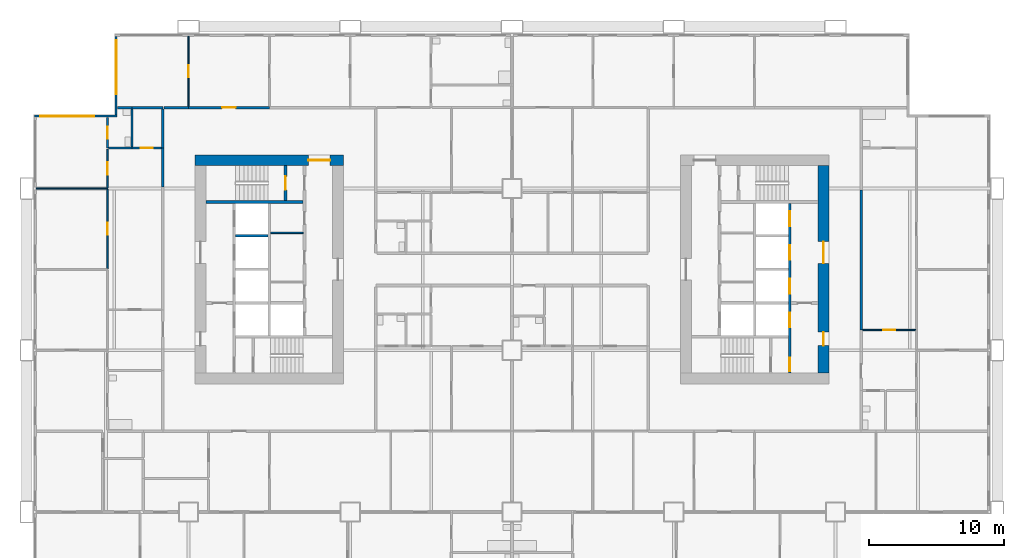
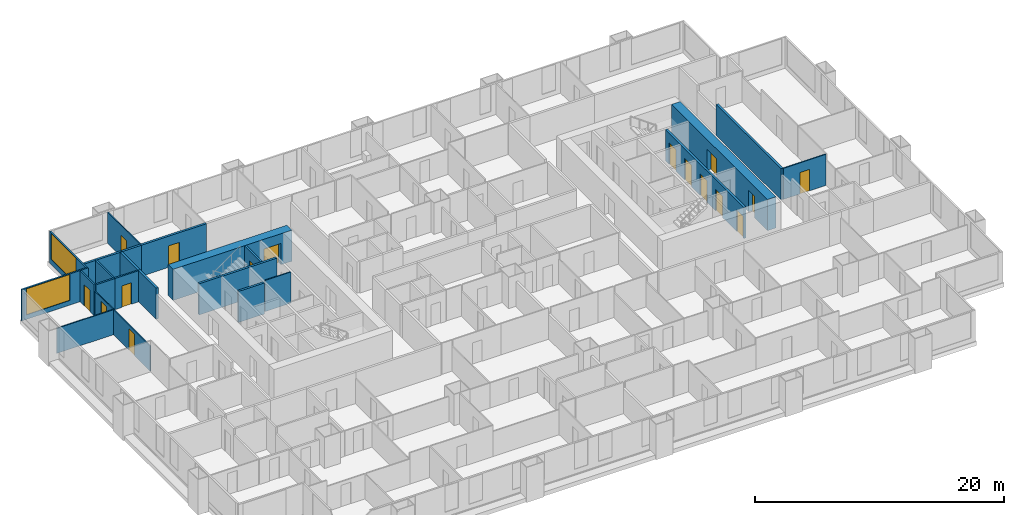
# One storey, part 8 of 14: 25 walls, 16 doors, 2 windows, 18 openings.
"""IFC4 building model written with IfcOpenShell, lengths in metres."""

from ifc_helpers import new_model, si_unit, direction, frame, frame_2d, origin, place, context, subcontext, project, spatial, rectangle, extrude, material, layer, layer_set, type_object, element, fill, save


model = new_model("IFC4")

# Units and contexts
model_context = context("Model", 3, precision=1e-05, world=origin(), true_north=direction((0.0, 1.0)))
body_context = subcontext(model_context, "Body", "Model", "MODEL_VIEW")
ifc_project = project(units=[si_unit("LENGTHUNIT", "METRE"), si_unit("AREAUNIT", "SQUARE_METRE"), si_unit("VOLUMEUNIT", "CUBIC_METRE"), si_unit("PLANEANGLEUNIT", "RADIAN"), si_unit("MASSUNIT", "GRAM", prefix="KILO")], contexts=[model_context])

# Site, building, storey
site_placement = place(None, origin())
site = spatial("IfcSite", under=ifc_project, at=site_placement, CompositionType="ELEMENT")
building_placement = place(site_placement, origin())
building = spatial("IfcBuilding", under=site, at=building_placement, Name="Kitamizu Gate Tower and Museum", CompositionType="ELEMENT")
storey_placement = place(building_placement, frame((0.0, 0.0, 64.5)))
storey = spatial("IfcBuildingStorey", under=building, at=storey_placement, Name="L15", CompositionType="ELEMENT", Elevation=64.5)

# Wall, opening, door
ifc_material_1 = material(Name="Concrete Fc60", Category="concrete")
ifc_layer_1 = layer(ifc_material_1, 0.800048828125)
ifc_layer_set_1 = layer_set([ifc_layer_1], Name="Concrete Fc60")
wall_type_1 = type_object("IfcWallType", Name="Core wall 800", PredefinedType="SHEAR", material=ifc_layer_set_1)
wall_1_placement = place(storey_placement, frame((12.5, 38.10009765625, 0.0), z_axis=(0.0, 0.0, 1.0), x_axis=(1.0, 0.0, 0.0)))
wall_1 = element("IfcWall", 1, at=wall_1_placement, inside=storey, type_object=wall_type_1, Name="Core wall WN", PredefinedType="SHEAR", context=body_context, shape_type="SweptSolid", body=[
    extrude(rectangle(XDim=11.0, YDim=0.800048828125, at=frame_2d((5.5, 0.0))), origin(), (0.0, 0.0, 1.0), 3.050048828125),
])
opening_1_placement = place(wall_1_placement, frame((8.39990234375, 0.0, 0.0)))
opening_1 = element("IfcOpeningElement", 2, at=opening_1_placement, cuts=wall_1, Name="Opening L15-092", PredefinedType="OPENING", context=body_context, shape_type="SweptSolid", body=[
    extrude(rectangle(XDim=1.60009765625, YDim=2.10009765625, at=frame_2d((0.800048828125, 1.050048828125))), frame((0.0, 0.41015625, 0.0), z_axis=(0.0, -1.0, 0.0), x_axis=(1.0, 0.0, 0.0)), (0.0, 0.0, 1.0), 0.820068359375),
])
ifc_material_2 = material(Name="Timber door set", Category="wood")
door_type_1 = type_object("IfcDoorType", Name="Entrance door 1600", OperationType="DOUBLE_DOOR_SINGLE_SWING", PredefinedType="DOOR", material=ifc_material_2)
door_1_placement = place(opening_1_placement, origin())
door_1 = element("IfcDoor", 3, at=door_1_placement, inside=storey, type_object=door_type_1, Name="Lobby door L15-092", OperationType="DOUBLE_DOOR_SINGLE_SWING", OverallHeight=2.10009765625, OverallWidth=1.60009765625, PredefinedType="DOOR", context=body_context, shape_type="SweptSolid", body=[
    extrude(rectangle(XDim=1.60009765625, YDim=2.10009765625, at=frame_2d((0.800048828125, 1.050048828125))), frame((0.0, 0.02490234375, 0.0), z_axis=(0.0, -1.0, 0.0), x_axis=(1.0, 0.0, 0.0)), (0.0, 0.0, 1.0), 0.050048828125),
])
fill(opening_1, door_1)

# Wall, openings, doors
wall_2_placement = place(storey_placement, frame((59.10009765625, 22.300048828125, 0.0), z_axis=(0.0, 0.0, 1.0), x_axis=(0.0, 1.0, 0.0)))
wall_2 = element("IfcWall", 4, at=wall_2_placement, inside=storey, type_object=wall_type_1, Name="Core wall EOUT", PredefinedType="SHEAR", context=body_context, shape_type="SweptSolid", body=[
    extrude(rectangle(XDim=15.39990234375, YDim=0.800048828125, at=frame_2d((7.699951171875, 0.0))), origin(), (0.0, 0.0, 1.0), 3.050048828125),
])
opening_2_placement = place(wall_2_placement, frame((8.14990234375, 0.0, 0.0)))
opening_2 = element("IfcOpeningElement", 5, at=opening_2_placement, cuts=wall_2, Name="Opening L15-102", PredefinedType="OPENING", context=body_context, shape_type="SweptSolid", body=[
    extrude(rectangle(XDim=1.60009765625, YDim=2.10009765625, at=frame_2d((0.800048828125, 1.050048828125))), frame((0.0, 0.41015625, 0.0), z_axis=(0.0, -1.0, 0.0), x_axis=(1.0, 0.0, 0.0)), (0.0, 0.0, 1.0), 0.820068359375),
])
opening_3_placement = place(wall_2_placement, frame((2.050048828125, 0.0, 0.0)))
opening_3 = element("IfcOpeningElement", 6, at=opening_3_placement, cuts=wall_2, Name="Opening L15-103", PredefinedType="OPENING", context=body_context, shape_type="SweptSolid", body=[
    extrude(rectangle(XDim=1.0, YDim=2.10009765625, at=frame_2d((0.5, 1.050048828125))), frame((0.0, 0.41015625, 0.0), z_axis=(0.0, -1.0, 0.0), x_axis=(1.0, 0.0, 0.0)), (0.0, 0.0, 1.0), 0.820068359375),
])
door_2_placement = place(opening_2_placement, origin())
door_2 = element("IfcDoor", 7, at=door_2_placement, inside=storey, type_object=door_type_1, Name="Lobby door L15-102", OperationType="DOUBLE_DOOR_SINGLE_SWING", OverallHeight=2.10009765625, OverallWidth=1.60009765625, PredefinedType="DOOR", context=body_context, shape_type="SweptSolid", body=[
    extrude(rectangle(XDim=1.60009765625, YDim=2.10009765625, at=frame_2d((0.800048828125, 1.050048828125))), frame((0.0, 0.02490234375, 0.0), z_axis=(0.0, -1.0, 0.0), x_axis=(1.0, 0.0, 0.0)), (0.0, 0.0, 1.0), 0.050048828125),
])
fill(opening_2, door_2)
ifc_material_3 = material(Name="Hollow metal door set")
door_type_2 = type_object("IfcDoorType", Name="Fire door 1000", OperationType="NOTDEFINED", PredefinedType="DOOR", material=ifc_material_3)
door_3_placement = place(opening_3_placement, origin())
door_3 = element("IfcDoor", 8, at=door_3_placement, inside=storey, type_object=door_type_2, Name="Fire-fighting lobby door L15-103", OperationType="SINGLE_SWING_RIGHT", OverallHeight=2.10009765625, OverallWidth=1.0, PredefinedType="DOOR", context=body_context, shape_type="SweptSolid", body=[
    extrude(rectangle(XDim=1.0, YDim=2.10009765625, at=frame_2d((0.5, 1.050048828125))), frame((0.0, 0.02490234375, 0.0), z_axis=(0.0, -1.0, 0.0), x_axis=(1.0, 0.0, 0.0)), (0.0, 0.0, 1.0), 0.050048828125),
])
fill(opening_3, door_3)

# Walls
ifc_material_4 = material(Name="Gypsum board on galvanised stud")
ifc_layer_2 = layer(ifc_material_4, 0.10009765625)
ifc_layer_set_2 = layer_set([ifc_layer_2], Name="Gypsum board on galvanised stud")
wall_type_2 = type_object("IfcWallType", Name="Partition 100", PredefinedType="PARTITIONING", material=ifc_layer_set_2)
wall_3_placement = place(storey_placement, frame((18.10009765625, 32.7099609375, 0.0), z_axis=(0.0, 0.0, 1.0), x_axis=(1.0, 0.0, 0.0)))
element("IfcWall", 9, at=wall_3_placement, inside=storey, type_object=wall_type_2, Name="Partition WPF2", PredefinedType="PARTITIONING", context=body_context, shape_type="SweptSolid", body=[
    extrude(rectangle(XDim=2.39990234375, YDim=0.10009765625, at=frame_2d((1.199951171875, 0.0))), origin(), (0.0, 0.0, 1.0), 3.050048828125),
])
ifc_material_5 = material(Name="Gypsum board on galvanised stud")
ifc_layer_3 = layer(ifc_material_5, 0.10009765625)
ifc_layer_set_3 = layer_set([ifc_layer_3], Name="Gypsum board on galvanised stud")
wall_type_3 = type_object("IfcWallType", Name="Partition 100 NOT RATED", PredefinedType="PARTITIONING", material=ifc_layer_set_3)
wall_4_placement = place(storey_placement, frame((6.0, 36.0, 0.0), z_axis=(0.0, 0.0, 1.0), x_axis=(-1.0, 0.0, 0.0)))
element("IfcWall", 10, at=wall_4_placement, inside=storey, type_object=wall_type_3, Name="Partition L15-134", PredefinedType="PARTITIONING", context=body_context, shape_type="SweptSolid", body=[
    extrude(rectangle(XDim=5.280029296875, YDim=0.10009765625, at=frame_2d((2.64013671875, 0.0))), origin(), (0.0, 0.0, 1.0), 2.449951171875),
])

# Wall, opening, door
wall_5_placement = place(storey_placement, frame((6.0, 30.050048828125, 0.0), z_axis=(0.0, 0.0, 1.0), x_axis=(0.0, 1.0, 0.0)))
wall_5 = element("IfcWall", 11, at=wall_5_placement, inside=storey, type_object=wall_type_3, Name="Partition L15-135", PredefinedType="PARTITIONING", context=body_context, shape_type="SweptSolid", body=[
    extrude(rectangle(XDim=5.89990234375, YDim=0.10009765625, at=frame_2d((2.949951171875, 0.0))), origin(), (0.0, 0.0, 1.0), 2.449951171875),
])
opening_4_placement = place(wall_5_placement, frame((2.5, 0.0, 0.0)))
opening_4 = element("IfcOpeningElement", 12, at=opening_4_placement, cuts=wall_5, Name="Opening L15-050", PredefinedType="OPENING", context=body_context, shape_type="SweptSolid", body=[
    extrude(rectangle(XDim=0.89990234375, YDim=2.10009765625, at=frame_2d((0.449951171875, 1.050048828125))), frame((0.0, 0.06005859375, 0.0), z_axis=(0.0, -1.0, 0.0), x_axis=(1.0, 0.0, 0.0)), (0.0, 0.0, 1.0), 0.1201171875),
])
ifc_material_6 = material(Name="Timber door set", Category="wood")
door_type_3 = type_object("IfcDoorType", Name="Room door 900", OperationType="NOTDEFINED", PredefinedType="DOOR", material=ifc_material_6)
door_4_placement = place(opening_4_placement, origin())
door_4 = element("IfcDoor", 13, at=door_4_placement, inside=storey, type_object=door_type_3, Name="Door L15-050", OperationType="SINGLE_SWING_LEFT", OverallHeight=2.10009765625, OverallWidth=0.89990234375, PredefinedType="DOOR", context=body_context, shape_type="SweptSolid", body=[
    extrude(rectangle(XDim=0.89990234375, YDim=2.10009765625, at=frame_2d((0.449951171875, 1.050048828125))), frame((0.0, 0.02490234375, 0.0), z_axis=(0.0, -1.0, 0.0), x_axis=(1.0, 0.0, 0.0)), (0.0, 0.0, 1.0), 0.050048828125),
])
fill(opening_4, door_4)

wall_6_placement = place(storey_placement, frame((6.0, 36.050048828125, 0.0), z_axis=(0.0, 0.0, 1.0), x_axis=(0.0, 1.0, 0.0)))
wall_6 = element("IfcWall", 14, at=wall_6_placement, inside=storey, type_object=wall_type_3, Name="Partition L15-136", PredefinedType="PARTITIONING", context=body_context, shape_type="SweptSolid", body=[
    extrude(rectangle(XDim=2.875, YDim=0.10009765625, at=frame_2d((1.4375, 0.0))), origin(), (0.0, 0.0, 1.0), 2.449951171875),
])
opening_5_placement = place(wall_6_placement, frame((0.987548828125, 0.0, 0.0)))
opening_5 = element("IfcOpeningElement", 15, at=opening_5_placement, cuts=wall_6, Name="Opening L15-051", PredefinedType="OPENING", context=body_context, shape_type="SweptSolid", body=[
    extrude(rectangle(XDim=0.89990234375, YDim=2.10009765625, at=frame_2d((0.449951171875, 1.050048828125))), frame((0.0, 0.06005859375, 0.0), z_axis=(0.0, -1.0, 0.0), x_axis=(1.0, 0.0, 0.0)), (0.0, 0.0, 1.0), 0.1201171875),
])
door_5_placement = place(opening_5_placement, origin())
door_5 = element("IfcDoor", 16, at=door_5_placement, inside=storey, type_object=door_type_3, Name="Door L15-051", OperationType="SINGLE_SWING_RIGHT", OverallHeight=2.10009765625, OverallWidth=0.89990234375, PredefinedType="DOOR", context=body_context, shape_type="SweptSolid", body=[
    extrude(rectangle(XDim=0.89990234375, YDim=2.10009765625, at=frame_2d((0.449951171875, 1.050048828125))), frame((0.0, 0.02490234375, 0.0), z_axis=(0.0, -1.0, 0.0), x_axis=(1.0, 0.0, 0.0)), (0.0, 0.0, 1.0), 0.050048828125),
])
fill(opening_5, door_5)

wall_7_placement = place(storey_placement, frame((12.0, 42.10009765625, 0.0), z_axis=(0.0, 0.0, 1.0), x_axis=(0.0, 1.0, 0.0)))
wall_7 = element("IfcWall", 17, at=wall_7_placement, inside=storey, type_object=wall_type_3, Name="Partition L15-151", PredefinedType="PARTITIONING", context=body_context, shape_type="SweptSolid", body=[
    extrude(rectangle(XDim=5.179931640625, YDim=0.10009765625, at=frame_2d((2.58984375, 0.0))), origin(), (0.0, 0.0, 1.0), 3.050048828125),
])
opening_6_placement = place(wall_7_placement, frame((2.139892578125, 0.0, 0.0)))
opening_6 = element("IfcOpeningElement", 18, at=opening_6_placement, cuts=wall_7, Name="Opening L15-057", PredefinedType="OPENING", context=body_context, shape_type="SweptSolid", body=[
    extrude(rectangle(XDim=0.89990234375, YDim=2.10009765625, at=frame_2d((0.449951171875, 1.050048828125))), frame((0.0, 0.06005859375, 0.0), z_axis=(0.0, -1.0, 0.0), x_axis=(1.0, 0.0, 0.0)), (0.0, 0.0, 1.0), 0.1201171875),
])
door_6_placement = place(opening_6_placement, origin())
door_6 = element("IfcDoor", 19, at=door_6_placement, inside=storey, type_object=door_type_3, Name="Door L15-057", OperationType="SINGLE_SWING_LEFT", OverallHeight=2.10009765625, OverallWidth=0.89990234375, PredefinedType="DOOR", context=body_context, shape_type="SweptSolid", body=[
    extrude(rectangle(XDim=0.89990234375, YDim=2.10009765625, at=frame_2d((0.449951171875, 1.050048828125))), frame((0.0, 0.02490234375, 0.0), z_axis=(0.0, -1.0, 0.0), x_axis=(1.0, 0.0, 0.0)), (0.0, 0.0, 1.0), 0.050048828125),
])
fill(opening_6, door_6)

wall_8_placement = place(storey_placement, frame((65.949951171875, 25.5, 0.0), z_axis=(0.0, 0.0, 1.0), x_axis=(-1.0, 0.0, 0.0)))
wall_8 = element("IfcWall", 20, at=wall_8_placement, inside=storey, type_object=wall_type_3, Name="Partition L15-220", PredefinedType="PARTITIONING", context=body_context, shape_type="SweptSolid", body=[
    extrude(rectangle(XDim=3.949951171875, YDim=0.10009765625, at=frame_2d((1.97509765625, 0.0))), origin(), (0.0, 0.0, 1.0), 3.050048828125),
])
opening_7_placement = place(wall_8_placement, frame((1.52490234375, 0.0, 0.0)))
opening_7 = element("IfcOpeningElement", 21, at=opening_7_placement, cuts=wall_8, Name="Opening L15-079", PredefinedType="OPENING", context=body_context, shape_type="SweptSolid", body=[
    extrude(rectangle(XDim=0.89990234375, YDim=2.10009765625, at=frame_2d((0.449951171875, 1.050048828125))), frame((0.0, 0.06005859375, 0.0), z_axis=(0.0, -1.0, 0.0), x_axis=(1.0, 0.0, 0.0)), (0.0, 0.0, 1.0), 0.1201171875),
])
door_7_placement = place(opening_7_placement, origin())
door_7 = element("IfcDoor", 22, at=door_7_placement, inside=storey, type_object=door_type_3, Name="Door L15-079", OperationType="SINGLE_SWING_RIGHT", OverallHeight=2.10009765625, OverallWidth=0.89990234375, PredefinedType="DOOR", context=body_context, shape_type="SweptSolid", body=[
    extrude(rectangle(XDim=0.89990234375, YDim=2.10009765625, at=frame_2d((0.449951171875, 1.050048828125))), frame((0.0, 0.02490234375, 0.0), z_axis=(0.0, -1.0, 0.0), x_axis=(1.0, 0.0, 0.0)), (0.0, 0.0, 1.0), 0.050048828125),
])
fill(opening_7, door_7)

ifc_material_7 = material(Name="Gypsum board on galvanised stud")
ifc_layer_4 = layer(ifc_material_7, 0.14990234375)
ifc_layer_set_4 = layer_set([ifc_layer_4], Name="Gypsum board on galvanised stud")
wall_type_4 = type_object("IfcWallType", Name="Partition 150", PredefinedType="PARTITIONING", material=ifc_layer_set_4)
wall_9_placement = place(storey_placement, frame((6.0, 39.0, 0.0), z_axis=(0.0, 0.0, 1.0), x_axis=(0.0, 1.0, 0.0)))
wall_9 = element("IfcWall", 23, at=wall_9_placement, inside=storey, type_object=wall_type_4, Name="Partition L15-137", PredefinedType="PARTITIONING", context=body_context, shape_type="SweptSolid", body=[
    extrude(rectangle(XDim=2.280029296875, YDim=0.14990234375, at=frame_2d((1.14013671875, 0.0))), origin(), (0.0, 0.0, 1.0), 3.050048828125),
])
opening_8_placement = place(wall_9_placement, frame((0.68994140625, 0.0, 0.0)))
opening_8 = element("IfcOpeningElement", 24, at=opening_8_placement, cuts=wall_9, Name="Opening L15-054", PredefinedType="OPENING", context=body_context, shape_type="SweptSolid", body=[
    extrude(rectangle(XDim=0.89990234375, YDim=2.10009765625, at=frame_2d((0.449951171875, 1.050048828125))), frame((0.0, 0.0849609375, 0.0), z_axis=(0.0, -1.0, 0.0), x_axis=(1.0, 0.0, 0.0)), (0.0, 0.0, 1.0), 0.169921875),
])
ifc_material_8 = material(Name="Timber door set", Category="wood")
door_type_4 = type_object("IfcDoorType", Name="Bathroom door 900", OperationType="NOTDEFINED", PredefinedType="DOOR", material=ifc_material_8)
door_8_placement = place(opening_8_placement, frame((0.89990234375, 0.0, 0.0), x_axis=(-1.0, 0.0, 0.0)))
door_8 = element("IfcDoor", 25, at=door_8_placement, inside=storey, type_object=door_type_4, Name="Bathroom door L15-054", OperationType="SINGLE_SWING_LEFT", OverallHeight=2.10009765625, OverallWidth=0.89990234375, PredefinedType="DOOR", context=body_context, shape_type="SweptSolid", body=[
    extrude(rectangle(XDim=0.89990234375, YDim=2.10009765625, at=frame_2d((0.449951171875, 1.050048828125))), frame((0.0, 0.02490234375, 0.0), z_axis=(0.0, -1.0, 0.0), x_axis=(1.0, 0.0, 0.0)), (0.0, 0.0, 1.0), 0.050048828125),
])
fill(opening_8, door_8)

# Wall
wall_10_placement = place(storey_placement, frame((7.800048828125, 39.0, 0.0), z_axis=(0.0, 0.0, 1.0), x_axis=(-1.0, 0.0, 0.0)))
element("IfcWall", 26, at=wall_10_placement, inside=storey, type_object=wall_type_4, Name="Partition L15-143", PredefinedType="PARTITIONING", context=body_context, shape_type="SweptSolid", body=[
    extrude(rectangle(XDim=1.72509765625, YDim=0.14990234375, at=frame_2d((0.862548828125, 0.0))), origin(), (0.0, 0.0, 1.0), 3.050048828125),
])

# Wall, opening, door
wall_11_placement = place(storey_placement, frame((10.0, 39.0, 0.0), z_axis=(0.0, 0.0, 1.0), x_axis=(-1.0, 0.0, 0.0)))
wall_11 = element("IfcWall", 27, at=wall_11_placement, inside=storey, type_object=wall_type_4, Name="Partition L15-144", PredefinedType="PARTITIONING", context=body_context, shape_type="SweptSolid", body=[
    extrude(rectangle(XDim=2.199951171875, YDim=0.14990234375, at=frame_2d((1.10009765625, 0.0))), origin(), (0.0, 0.0, 1.0), 3.050048828125),
])
opening_9_placement = place(wall_11_placement, frame((0.64990234375, 0.0, 0.0)))
opening_9 = element("IfcOpeningElement", 28, at=opening_9_placement, cuts=wall_11, Name="Opening L15-055", PredefinedType="OPENING", context=body_context, shape_type="SweptSolid", body=[
    extrude(rectangle(XDim=0.89990234375, YDim=2.10009765625, at=frame_2d((0.449951171875, 1.050048828125))), frame((0.0, 0.0849609375, 0.0), z_axis=(0.0, -1.0, 0.0), x_axis=(1.0, 0.0, 0.0)), (0.0, 0.0, 1.0), 0.169921875),
])
door_9_placement = place(opening_9_placement, frame((0.89990234375, 0.0, 0.0), x_axis=(-1.0, 0.0, 0.0)))
door_9 = element("IfcDoor", 29, at=door_9_placement, inside=storey, type_object=door_type_4, Name="Bathroom door L15-055", OperationType="SINGLE_SWING_RIGHT", OverallHeight=2.10009765625, OverallWidth=0.89990234375, PredefinedType="DOOR", context=body_context, shape_type="SweptSolid", body=[
    extrude(rectangle(XDim=0.89990234375, YDim=2.10009765625, at=frame_2d((0.449951171875, 1.050048828125))), frame((0.0, 0.02490234375, 0.0), z_axis=(0.0, -1.0, 0.0), x_axis=(1.0, 0.0, 0.0)), (0.0, 0.0, 1.0), 0.050048828125),
])
fill(opening_9, door_9)

# Walls
wall_12_placement = place(storey_placement, frame((7.800048828125, 39.074951171875, 0.0), z_axis=(0.0, 0.0, 1.0), x_axis=(0.0, 1.0, 0.0)))
element("IfcWall", 30, at=wall_12_placement, inside=storey, type_object=wall_type_4, Name="Partition L15-147", PredefinedType="PARTITIONING", context=body_context, shape_type="SweptSolid", body=[
    extrude(rectangle(XDim=2.824951171875, YDim=0.14990234375, at=frame_2d((1.41259765625, 0.0))), origin(), (0.0, 0.0, 1.0), 3.050048828125),
])
ifc_material_9 = material(Name="Gypsum board on galvanised stud")
ifc_layer_5 = layer(ifc_material_9, 0.199951171875)
ifc_layer_set_5 = layer_set([ifc_layer_5], Name="Gypsum board on galvanised stud")
wall_type_5 = type_object("IfcWallType", Name="Partition 200", PredefinedType="PARTITIONING", material=ifc_layer_set_5)
wall_13_placement = place(storey_placement, frame((10.10009765625, 36.10009765625, 0.0), z_axis=(0.0, 0.0, 1.0), x_axis=(0.0, 1.0, 0.0)))
element("IfcWall", 31, at=wall_13_placement, inside=storey, type_object=wall_type_5, Name="Partition L15-146", PredefinedType="PARTITIONING", context=body_context, shape_type="SweptSolid", body=[
    extrude(rectangle(XDim=2.89990234375, YDim=0.199951171875, at=frame_2d((1.449951171875, 0.0))), origin(), (0.0, 0.0, 1.0), 3.050048828125),
])
wall_14_placement = place(storey_placement, frame((7.800048828125, 42.0, 0.0), z_axis=(0.0, 0.0, 1.0), x_axis=(-1.0, 0.0, 0.0)))
element("IfcWall", 32, at=wall_14_placement, inside=storey, type_object=wall_type_5, Name="Partition L15-148", PredefinedType="PARTITIONING", context=body_context, shape_type="SweptSolid", body=[
    extrude(rectangle(XDim=1.080078125, YDim=0.199951171875, at=frame_2d((0.5400390625, 0.0))), origin(), (0.0, 0.0, 1.0), 3.050048828125),
])
wall_15_placement = place(storey_placement, frame((10.10009765625, 42.0, 0.0), z_axis=(0.0, 0.0, 1.0), x_axis=(-1.0, 0.0, 0.0)))
element("IfcWall", 33, at=wall_15_placement, inside=storey, type_object=wall_type_5, Name="Partition L15-149", PredefinedType="PARTITIONING", context=body_context, shape_type="SweptSolid", body=[
    extrude(rectangle(XDim=2.300048828125, YDim=0.199951171875, at=frame_2d((1.14990234375, 0.0))), origin(), (0.0, 0.0, 1.0), 3.050048828125),
])
wall_16_placement = place(storey_placement, frame((10.10009765625, 39.0, 0.0), z_axis=(0.0, 0.0, 1.0), x_axis=(0.0, 1.0, 0.0)))
element("IfcWall", 34, at=wall_16_placement, inside=storey, type_object=wall_type_5, Name="Partition L15-150", PredefinedType="PARTITIONING", context=body_context, shape_type="SweptSolid", body=[
    extrude(rectangle(XDim=2.89990234375, YDim=0.199951171875, at=frame_2d((1.449951171875, 0.0))), origin(), (0.0, 0.0, 1.0), 3.050048828125),
])
wall_17_placement = place(storey_placement, frame((10.199951171875, 42.0, 0.0), z_axis=(0.0, 0.0, 1.0), x_axis=(1.0, 0.0, 0.0)))
element("IfcWall", 35, at=wall_17_placement, inside=storey, type_object=wall_type_5, Name="Partition L15-152", PredefinedType="PARTITIONING", context=body_context, shape_type="SweptSolid", body=[
    extrude(rectangle(XDim=1.800048828125, YDim=0.199951171875, at=frame_2d((0.89990234375, 0.0))), origin(), (0.0, 0.0, 1.0), 3.050048828125),
])

# Wall, opening, door
wall_18_placement = place(storey_placement, frame((12.0, 42.0, 0.0), z_axis=(0.0, 0.0, 1.0), x_axis=(1.0, 0.0, 0.0)))
wall_18 = element("IfcWall", 36, at=wall_18_placement, inside=storey, type_object=wall_type_5, Name="Partition L15-154", PredefinedType="PARTITIONING", context=body_context, shape_type="SweptSolid", body=[
    extrude(rectangle(XDim=6.0, YDim=0.199951171875, at=frame_2d((3.0, 0.0))), origin(), (0.0, 0.0, 1.0), 3.050048828125),
])
opening_10_placement = place(wall_18_placement, frame((2.5, 0.0, 0.0)))
opening_10 = element("IfcOpeningElement", 37, at=opening_10_placement, cuts=wall_18, Name="Opening L15-056", PredefinedType="OPENING", context=body_context, shape_type="SweptSolid", body=[
    extrude(rectangle(XDim=1.0, YDim=2.10009765625, at=frame_2d((0.5, 1.050048828125))), frame((0.0, 0.10986328125, 0.0), z_axis=(0.0, -1.0, 0.0), x_axis=(1.0, 0.0, 0.0)), (0.0, 0.0, 1.0), 0.219970703125),
])
ifc_material_10 = material(Name="Timber door set", Category="wood")
door_type_5 = type_object("IfcDoorType", Name="Flat entrance door 1000", OperationType="NOTDEFINED", PredefinedType="DOOR", material=ifc_material_10)
door_10_placement = place(opening_10_placement, origin())
door_10 = element("IfcDoor", 38, at=door_10_placement, inside=storey, type_object=door_type_5, Name="Flat entrance door L15-056", OperationType="SINGLE_SWING_RIGHT", OverallHeight=2.10009765625, OverallWidth=1.0, PredefinedType="DOOR", context=body_context, shape_type="SweptSolid", body=[
    extrude(rectangle(XDim=1.0, YDim=2.10009765625, at=frame_2d((0.5, 1.050048828125))), frame((0.0, 0.02490234375, 0.0), z_axis=(0.0, -1.0, 0.0), x_axis=(1.0, 0.0, 0.0)), (0.0, 0.0, 1.0), 0.050048828125),
])
fill(opening_10, door_10)

# Walls
wall_19_placement = place(storey_placement, frame((61.89990234375, 35.89990234375, 0.0), z_axis=(0.0, 0.0, 1.0), x_axis=(0.0, -1.0, 0.0)))
element("IfcWall", 39, at=wall_19_placement, inside=storey, type_object=wall_type_5, Name="Partition L15-225", PredefinedType="PARTITIONING", context=body_context, shape_type="SweptSolid", body=[
    extrude(rectangle(XDim=10.39990234375, YDim=0.199951171875, at=frame_2d((5.199951171875, 0.0))), origin(), (0.0, 0.0, 1.0), 3.050048828125),
])
ifc_material_11 = material(Name="Concrete Fc42", Category="concrete")
ifc_layer_6 = layer(ifc_material_11, 0.199951171875)
ifc_layer_set_6 = layer_set([ifc_layer_6], Name="Concrete Fc42")
wall_type_6 = type_object("IfcWallType", Name="Shaft wall 200", PredefinedType="SOLIDWALL", material=ifc_layer_set_6)
wall_20_placement = place(storey_placement, frame((13.300048828125, 35.0, 0.0), z_axis=(0.0, 0.0, 1.0), x_axis=(1.0, 0.0, 0.0)))
element("IfcWall", 40, at=wall_20_placement, inside=storey, type_object=wall_type_6, Name="Shaft wall WNB", PredefinedType="SOLIDWALL", context=body_context, shape_type="SweptSolid", body=[
    extrude(rectangle(XDim=7.199951171875, YDim=0.199951171875, at=frame_2d((3.60009765625, 0.0))), origin(), (0.0, 0.0, 1.0), 3.050048828125),
])

# Wall, opening, door
wall_21_placement = place(storey_placement, frame((19.199951171875, 35.10009765625, 0.0), z_axis=(0.0, 0.0, 1.0), x_axis=(0.0, 1.0, 0.0)))
wall_21 = element("IfcWall", 41, at=wall_21_placement, inside=storey, type_object=wall_type_6, Name="Shaft wall WNZ", PredefinedType="SOLIDWALL", context=body_context, shape_type="SweptSolid", body=[
    extrude(rectangle(XDim=2.599853515625, YDim=0.199951171875, at=frame_2d((1.2998046875, 0.0))), origin(), (0.0, 0.0, 1.0), 3.050048828125),
])
opening_11_placement = place(wall_21_placement, frame((0.800048828125, 0.0, 0.0)))
opening_11 = element("IfcOpeningElement", 42, at=opening_11_placement, cuts=wall_21, Name="Opening L15-088", PredefinedType="OPENING", context=body_context, shape_type="SweptSolid", body=[
    extrude(rectangle(XDim=1.0, YDim=2.10009765625, at=frame_2d((0.5, 1.050048828125))), frame((0.0, 0.10986328125, 0.0), z_axis=(0.0, -1.0, 0.0), x_axis=(1.0, 0.0, 0.0)), (0.0, 0.0, 1.0), 0.219970703125),
])
door_11_placement = place(opening_11_placement, origin())
door_11 = element("IfcDoor", 43, at=door_11_placement, inside=storey, type_object=door_type_2, Name="Stair door L15-088", OperationType="SINGLE_SWING_LEFT", OverallHeight=2.10009765625, OverallWidth=1.0, PredefinedType="DOOR", context=body_context, shape_type="SweptSolid", body=[
    extrude(rectangle(XDim=1.0, YDim=2.10009765625, at=frame_2d((0.5, 1.050048828125))), frame((0.0, 0.02490234375, 0.0), z_axis=(0.0, -1.0, 0.0), x_axis=(1.0, 0.0, 0.0)), (0.0, 0.0, 1.0), 0.050048828125),
])
fill(opening_11, door_11)

# Wall
wall_22_placement = place(storey_placement, frame((15.5, 32.5, 0.0), z_axis=(0.0, 0.0, 1.0), x_axis=(1.0, 0.0, 0.0)))
element("IfcWall", 44, at=wall_22_placement, inside=storey, type_object=wall_type_6, Name="Shaft wall WDVW2", PredefinedType="SOLIDWALL", context=body_context, shape_type="SweptSolid", body=[
    extrude(rectangle(XDim=2.39990234375, YDim=0.199951171875, at=frame_2d((1.199951171875, 0.0))), origin(), (0.0, 0.0, 1.0), 3.050048828125),
])

# Wall, openings, doors
wall_23_placement = place(storey_placement, frame((56.60009765625, 22.300048828125, 0.0), z_axis=(0.0, 0.0, 1.0), x_axis=(0.0, 1.0, 0.0)))
wall_23 = element("IfcWall", 45, at=wall_23_placement, inside=storey, type_object=wall_type_6, Name="Shaft wall EWEST", PredefinedType="SOLIDWALL", context=body_context, shape_type="SweptSolid", body=[
    extrude(rectangle(XDim=12.599853515625, YDim=0.199951171875, at=frame_2d((6.2998046875, 0.0))), origin(), (0.0, 0.0, 1.0), 3.050048828125),
])
opening_12_placement = place(wall_23_placement, frame((3.39990234375, 0.0, 0.0)))
opening_12 = element("IfcOpeningElement", 46, at=opening_12_placement, cuts=wall_23, Name="Opening LD", PredefinedType="OPENING", context=body_context, shape_type="SweptSolid", body=[
    extrude(rectangle(XDim=1.10009765625, YDim=2.10009765625, at=frame_2d((0.550048828125, 1.050048828125))), frame((0.0, 0.10986328125, 0.0), z_axis=(0.0, -1.0, 0.0), x_axis=(1.0, 0.0, 0.0)), (0.0, 0.0, 1.0), 0.219970703125),
])
opening_13_placement = place(wall_23_placement, frame((5.89990234375, 0.0, 0.0)))
opening_13 = element("IfcOpeningElement", 47, at=opening_13_placement, cuts=wall_23, Name="Opening LD", PredefinedType="OPENING", context=body_context, shape_type="SweptSolid", body=[
    extrude(rectangle(XDim=1.10009765625, YDim=2.10009765625, at=frame_2d((0.550048828125, 1.050048828125))), frame((0.0, 0.10986328125, 0.0), z_axis=(0.0, -1.0, 0.0), x_axis=(1.0, 0.0, 0.0)), (0.0, 0.0, 1.0), 0.219970703125),
])
opening_14_placement = place(wall_23_placement, frame((8.39990234375, 0.0, 0.0)))
opening_14 = element("IfcOpeningElement", 48, at=opening_14_placement, cuts=wall_23, Name="Opening LD", PredefinedType="OPENING", context=body_context, shape_type="SweptSolid", body=[
    extrude(rectangle(XDim=1.10009765625, YDim=2.10009765625, at=frame_2d((0.550048828125, 1.050048828125))), frame((0.0, 0.10986328125, 0.0), z_axis=(0.0, -1.0, 0.0), x_axis=(1.0, 0.0, 0.0)), (0.0, 0.0, 1.0), 0.219970703125),
])
opening_15_placement = place(wall_23_placement, frame((10.89990234375, 0.0, 0.0)))
opening_15 = element("IfcOpeningElement", 49, at=opening_15_placement, cuts=wall_23, Name="Opening LD", PredefinedType="OPENING", context=body_context, shape_type="SweptSolid", body=[
    extrude(rectangle(XDim=1.10009765625, YDim=2.10009765625, at=frame_2d((0.550048828125, 1.050048828125))), frame((0.0, 0.10986328125, 0.0), z_axis=(0.0, -1.0, 0.0), x_axis=(1.0, 0.0, 0.0)), (0.0, 0.0, 1.0), 0.219970703125),
])
opening_16_placement = place(wall_23_placement, frame((0.14990234375, 0.0, 0.0)))
opening_16 = element("IfcOpeningElement", 50, at=opening_16_placement, cuts=wall_23, Name="Opening L15-098", PredefinedType="OPENING", context=body_context, shape_type="SweptSolid", body=[
    extrude(rectangle(XDim=1.0, YDim=2.10009765625, at=frame_2d((0.5, 1.050048828125))), frame((0.0, 0.10986328125, 0.0), z_axis=(0.0, -1.0, 0.0), x_axis=(1.0, 0.0, 0.0)), (0.0, 0.0, 1.0), 0.219970703125),
])
door_12_placement = place(opening_16_placement, origin())
door_12 = element("IfcDoor", 51, at=door_12_placement, inside=storey, type_object=door_type_2, Name="Stair lobby door L15-098", OperationType="SINGLE_SWING_RIGHT", OverallHeight=2.10009765625, OverallWidth=1.0, PredefinedType="DOOR", context=body_context, shape_type="SweptSolid", body=[
    extrude(rectangle(XDim=1.0, YDim=2.10009765625, at=frame_2d((0.5, 1.050048828125))), frame((0.0, 0.02490234375, 0.0), z_axis=(0.0, -1.0, 0.0), x_axis=(1.0, 0.0, 0.0)), (0.0, 0.0, 1.0), 0.050048828125),
])
fill(opening_16, door_12)
ifc_material_12 = material(Name="Hollow metal door set")
door_type_6 = type_object("IfcDoorType", Name="Landing door 1100", OperationType="SLIDING_TO_LEFT", PredefinedType="DOOR", material=ifc_material_12)
door_13_placement = place(opening_12_placement, origin())
door_13 = element("IfcDoor", 52, at=door_13_placement, inside=storey, type_object=door_type_6, Name="Landing door EFF1", OperationType="SLIDING_TO_LEFT", OverallHeight=2.10009765625, OverallWidth=1.10009765625, PredefinedType="DOOR", context=body_context, shape_type="SweptSolid", body=[
    extrude(rectangle(XDim=1.10009765625, YDim=2.10009765625, at=frame_2d((0.550048828125, 1.050048828125))), frame((0.0, 0.02490234375, 0.0), z_axis=(0.0, -1.0, 0.0), x_axis=(1.0, 0.0, 0.0)), (0.0, 0.0, 1.0), 0.050048828125),
])
fill(opening_12, door_13)
door_14_placement = place(opening_13_placement, origin())
door_14 = element("IfcDoor", 53, at=door_14_placement, inside=storey, type_object=door_type_6, Name="Landing door EL1", OperationType="SLIDING_TO_LEFT", OverallHeight=2.10009765625, OverallWidth=1.10009765625, PredefinedType="DOOR", context=body_context, shape_type="SweptSolid", body=[
    extrude(rectangle(XDim=1.10009765625, YDim=2.10009765625, at=frame_2d((0.550048828125, 1.050048828125))), frame((0.0, 0.02490234375, 0.0), z_axis=(0.0, -1.0, 0.0), x_axis=(1.0, 0.0, 0.0)), (0.0, 0.0, 1.0), 0.050048828125),
])
fill(opening_13, door_14)
door_15_placement = place(opening_14_placement, origin())
door_15 = element("IfcDoor", 54, at=door_15_placement, inside=storey, type_object=door_type_6, Name="Landing door EL2", OperationType="SLIDING_TO_LEFT", OverallHeight=2.10009765625, OverallWidth=1.10009765625, PredefinedType="DOOR", context=body_context, shape_type="SweptSolid", body=[
    extrude(rectangle(XDim=1.10009765625, YDim=2.10009765625, at=frame_2d((0.550048828125, 1.050048828125))), frame((0.0, 0.02490234375, 0.0), z_axis=(0.0, -1.0, 0.0), x_axis=(1.0, 0.0, 0.0)), (0.0, 0.0, 1.0), 0.050048828125),
])
fill(opening_14, door_15)
door_16_placement = place(opening_15_placement, origin())
door_16 = element("IfcDoor", 55, at=door_16_placement, inside=storey, type_object=door_type_6, Name="Landing door EL3", OperationType="SLIDING_TO_LEFT", OverallHeight=2.10009765625, OverallWidth=1.10009765625, PredefinedType="DOOR", context=body_context, shape_type="SweptSolid", body=[
    extrude(rectangle(XDim=1.10009765625, YDim=2.10009765625, at=frame_2d((0.550048828125, 1.050048828125))), frame((0.0, 0.02490234375, 0.0), z_axis=(0.0, -1.0, 0.0), x_axis=(1.0, 0.0, 0.0)), (0.0, 0.0, 1.0), 0.050048828125),
])
fill(opening_15, door_16)

# Wall, opening, window
ifc_material_13 = material(Name="Bronze anodised aluminium frame with insulated spandrel and tinted glass", Category="aluminium")
ifc_layer_7 = layer(ifc_material_13, 0.14990234375)
ifc_layer_set_7 = layer_set([ifc_layer_7], Name="Bronze anodised aluminium frame with insulated spandrel and tinted glass")
wall_type_7 = type_object("IfcWallType", Name="WINDOW WALL 150 BRONZE FRAME EI 30", PredefinedType="ELEMENTEDWALL", material=ifc_layer_set_7)
wall_24_placement = place(storey_placement, frame((6.635009765625, 41.43994140625, 0.0), z_axis=(0.0, 0.0, 1.0), x_axis=(0.0, 1.0, 0.0)))
wall_24 = element("IfcWall", 56, at=wall_24_placement, inside=storey, type_object=wall_type_7, Name="Window wall west L15", PredefinedType="ELEMENTEDWALL", context=body_context, shape_type="SweptSolid", body=[
    extrude(rectangle(XDim=5.85009765625, YDim=0.14990234375, at=frame_2d((2.925048828125, 0.0))), origin(), (0.0, 0.0, 1.0), 3.050048828125),
])
opening_17_placement = place(wall_24_placement, frame((1.56005859375, 0.0, 0.449951171875)))
opening_17 = element("IfcOpeningElement", 57, at=opening_17_placement, cuts=wall_24, Name="Opening W16", PredefinedType="OPENING", context=body_context, shape_type="SweptSolid", body=[
    extrude(rectangle(XDim=4.0, YDim=2.550048828125, at=frame_2d((2.0, 1.27490234375))), frame((0.0, 0.0849609375, 0.0), z_axis=(0.0, -1.0, 0.0), x_axis=(1.0, 0.0, 0.0)), (0.0, 0.0, 1.0), 0.169921875),
])
ifc_material_14 = material(Name="Bronze anodised aluminium frame, tinted triple glazing", Category="aluminium")
window_type = type_object("IfcWindowType", Name="WINDOW 4000 x 2550 SILL 450", PartitioningType="SINGLE_PANEL", PredefinedType="WINDOW", material=ifc_material_14)
window_1_placement = place(opening_17_placement, origin())
window_1 = element("IfcWindow", 58, at=window_1_placement, inside=storey, type_object=window_type, Name="Window W16 L15", OverallHeight=2.550048828125, OverallWidth=4.0, PartitioningType="SINGLE_PANEL", PredefinedType="WINDOW", context=body_context, shape_type="SweptSolid", body=[
    extrude(rectangle(XDim=4.0, YDim=2.550048828125, at=frame_2d((2.0, 1.27490234375))), frame((0.0, 0.030029296875, 0.0), z_axis=(0.0, -1.0, 0.0), x_axis=(1.0, 0.0, 0.0)), (0.0, 0.0, 1.0), 0.06005859375),
])
fill(opening_17, window_1)

wall_25_placement = place(storey_placement, frame((0.56005859375, 41.364990234375, 0.0), z_axis=(0.0, 0.0, 1.0), x_axis=(1.0, 0.0, 0.0)))
wall_25 = element("IfcWall", 59, at=wall_25_placement, inside=storey, type_object=wall_type_7, Name="Window wall north L15", PredefinedType="ELEMENTEDWALL", context=body_context, shape_type="SweptSolid", body=[
    extrude(rectangle(XDim=6.14990234375, YDim=0.14990234375, at=frame_2d((3.074951171875, 0.0))), origin(), (0.0, 0.0, 1.0), 3.050048828125),
])
opening_18_placement = place(wall_25_placement, frame((0.43994140625, 0.0, 0.449951171875)))
opening_18 = element("IfcOpeningElement", 60, at=opening_18_placement, cuts=wall_25, Name="Opening W16", PredefinedType="OPENING", context=body_context, shape_type="SweptSolid", body=[
    extrude(rectangle(XDim=4.0, YDim=2.550048828125, at=frame_2d((2.0, 1.27490234375))), frame((0.0, 0.0849609375, 0.0), z_axis=(0.0, -1.0, 0.0), x_axis=(1.0, 0.0, 0.0)), (0.0, 0.0, 1.0), 0.169921875),
])
window_2_placement = place(opening_18_placement, origin())
window_2 = element("IfcWindow", 61, at=window_2_placement, inside=storey, type_object=window_type, Name="Window W16 L15", OverallHeight=2.550048828125, OverallWidth=4.0, PartitioningType="SINGLE_PANEL", PredefinedType="WINDOW", context=body_context, shape_type="SweptSolid", body=[
    extrude(rectangle(XDim=4.0, YDim=2.550048828125, at=frame_2d((2.0, 1.27490234375))), frame((0.0, 0.030029296875, 0.0), z_axis=(0.0, -1.0, 0.0), x_axis=(1.0, 0.0, 0.0)), (0.0, 0.0, 1.0), 0.06005859375),
])
fill(opening_18, window_2)

save(model, "model.ifc")
